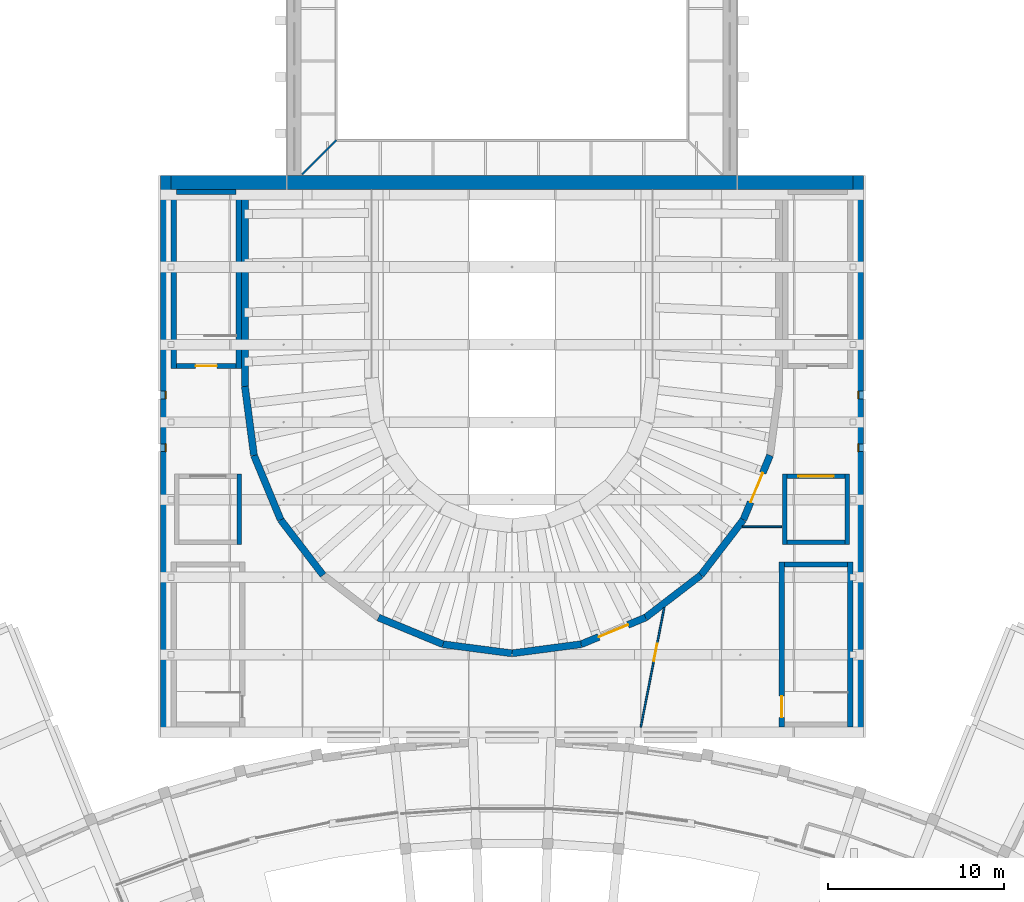
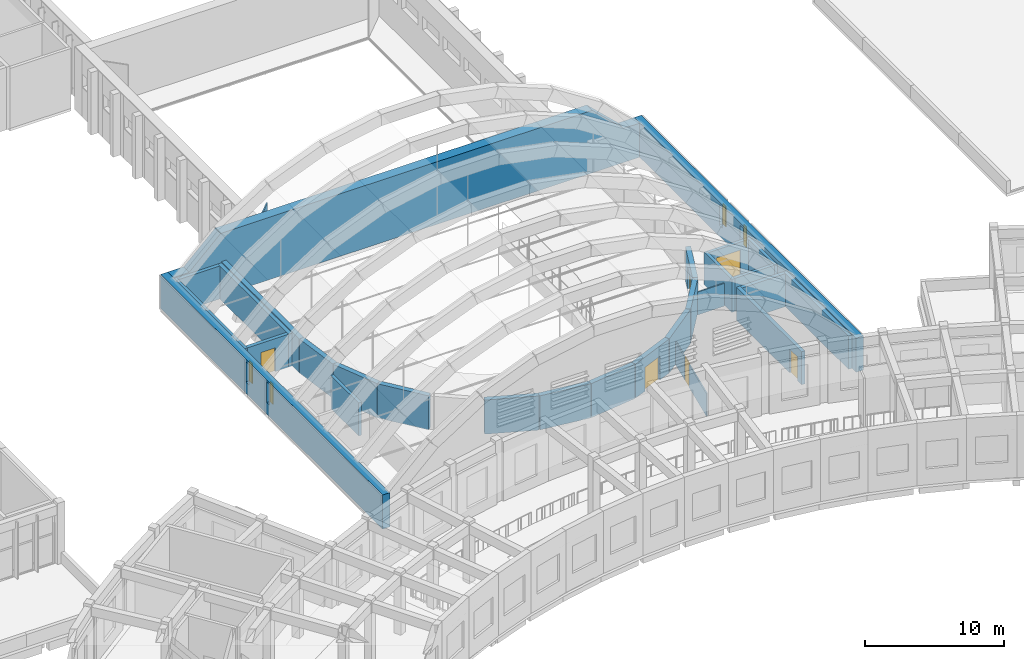
# One storey, part 64 of 94: 29 walls, 6 doors, 4 windows, 10 openings.
"""IFC4 building model written with IfcOpenShell, lengths in metres."""

from ifc_helpers import new_model, si_unit, direction, frame, frame_2d, origin, place, context, subcontext, project, spatial, polyline, rectangle, outline, extrude, material, layer, layer_set, type_object, element, fill, save


model = new_model("IFC4")

# Units and contexts
model_context = context("Model", 3, precision=1e-05, world=origin(), true_north=direction((0.0, 1.0)))
body_context = subcontext(model_context, "Body", "Model", "MODEL_VIEW")
ifc_project = project(units=[si_unit("LENGTHUNIT", "METRE"), si_unit("AREAUNIT", "SQUARE_METRE"), si_unit("VOLUMEUNIT", "CUBIC_METRE"), si_unit("PLANEANGLEUNIT", "RADIAN"), si_unit("MASSUNIT", "GRAM", prefix="KILO")], contexts=[model_context])

# Site, building, storey
site_placement = place(None, origin())
site = spatial("IfcSite", under=ifc_project, at=site_placement, CompositionType="ELEMENT")
building_placement = place(site_placement, origin())
building = spatial("IfcBuilding", under=site, at=building_placement, Name="Lunette Opera House", CompositionType="ELEMENT")
storey_placement = place(building_placement, frame((0.0, 0.0, 22.5)))
storey = spatial("IfcBuildingStorey", under=building, at=storey_placement, Name="L04", CompositionType="ELEMENT", Elevation=22.5)

# Walls
ifc_material_1 = material(Name="Concrete C40/50", Category="concrete")
ifc_layer_1 = layer(ifc_material_1, 0.800048828125)
ifc_layer_set_1 = layer_set([ifc_layer_1], Name="Concrete C40/50")
wall_type_1 = type_object("IfcWallType", Name="FIRE WALL 800", PredefinedType="SHEAR", material=ifc_layer_set_1)
wall_1_placement = place(storey_placement, frame((76.0, 95.60009765625, 0.0), z_axis=(0.0, 0.0, 1.0), x_axis=(1.0, 0.0, 0.0)))
element("IfcWall", 1, at=wall_1_placement, inside=storey, type_object=wall_type_1, Name="wall-ST-L04-WP-1", PredefinedType="SHEAR", context=body_context, shape_type="SweptSolid", body=[
    extrude(outline(polyline([(0.0, 0.0), (40.0, 0.0), (40.0, 3.0), (38.080078125, 3.0), (35.4599609375, 5.5), (35.419921875, 5.5), (32.800048828125, 5.5), (32.799072265625, 5.5), (29.0869140625, 5.5), (28.0, 5.5), (25.825927734375, 5.5), (22.006103515625, 5.5), (17.993896484375, 5.5), (14.174072265625, 5.5), (12.0, 5.5), (10.9130859375, 5.5), (7.200927734375, 5.5), (7.199951171875, 5.5), (4.580078125, 5.5), (4.5400390625, 5.5), (1.919921875, 3.0), (0.0, 3.0), (0.0, 0.0)])), frame((0.0, 0.39990234375, 0.0), z_axis=(0.0, -1.0, 0.0), x_axis=(1.0, 0.0, 0.0)), (0.0, 0.0, 1.0), 0.800048828125),
])
ifc_material_2 = material(Name="Concrete C35/45", Category="concrete")
ifc_layer_2 = layer(ifc_material_2, 0.25)
ifc_layer_set_2 = layer_set([ifc_layer_2], Name="Concrete C35/45")
wall_type_2 = type_object("IfcWallType", Name="RC LIFT SHAFT WALL 250", PredefinedType="SOLIDWALL", material=ifc_layer_set_2)
wall_2_placement = place(storey_placement, frame((115.074951171875, 75.0, 0.0), z_axis=(0.0, 0.0, 1.0), x_axis=(0.0, 1.0, 0.0)))
element("IfcWall", 2, at=wall_2_placement, inside=storey, type_object=wall_type_2, Name="LF3 shaft wall 1", PredefinedType="SOLIDWALL", context=body_context, shape_type="SweptSolid", body=[
    extrude(rectangle(XDim=4.0, YDim=0.25, at=frame_2d((2.0, 0.0))), origin(), (0.0, 0.0, 1.0), 2.89990234375),
])

# Wall, opening, door
wall_3_placement = place(storey_placement, frame((114.949951171875, 78.875, 0.0), z_axis=(0.0, 0.0, 1.0), x_axis=(-1.0, 0.0, 0.0)))
wall_3 = element("IfcWall", 3, at=wall_3_placement, inside=storey, type_object=wall_type_2, Name="LF3 shaft wall 2", PredefinedType="SOLIDWALL", context=body_context, shape_type="SweptSolid", body=[
    extrude(rectangle(XDim=3.300048828125, YDim=0.25, at=frame_2d((1.64990234375, 0.0))), origin(), (0.0, 0.0, 1.0), 2.89990234375),
])
opening_1_placement = place(wall_3_placement, frame((0.64990234375, 0.0, 0.0)))
opening_1 = element("IfcOpeningElement", 4, at=opening_1_placement, cuts=wall_3, Name="Opening AU-LD005", PredefinedType="OPENING", context=body_context, shape_type="SweptSolid", body=[
    extrude(rectangle(XDim=2.0, YDim=2.199951171875, at=frame_2d((1.0, 1.10009765625))), frame((0.0, 0.136962890625, 0.0), z_axis=(0.0, -1.0, 0.0), x_axis=(1.0, 0.0, 0.0)), (0.0, 0.0, 1.0), 0.27392578125),
])
ifc_material_3 = material(Name="Stainless steel", Category="steel")
door_type_1 = type_object("IfcDoorType", Name="LIFT LANDING DOOR 2000 X 2200", OperationType="DOUBLE_DOOR_SLIDING", PredefinedType="DOOR", material=ifc_material_3)
door_1_placement = place(opening_1_placement, origin())
door_1 = element("IfcDoor", 5, at=door_1_placement, inside=storey, type_object=door_type_1, Name="LF3 lift landing door", OperationType="DOUBLE_DOOR_SLIDING", OverallHeight=2.199951171875, OverallWidth=2.0, PredefinedType="DOOR", context=body_context, shape_type="SweptSolid", body=[
    extrude(rectangle(XDim=2.0, YDim=2.199951171875, at=frame_2d((1.0, 1.10009765625))), frame((0.0, 0.02490234375, 0.0), z_axis=(0.0, -1.0, 0.0), x_axis=(1.0, 0.0, 0.0)), (0.0, 0.0, 1.0), 0.050048828125),
])
fill(opening_1, door_1)

# Walls
wall_4_placement = place(storey_placement, frame((111.52490234375, 79.0, 0.0), z_axis=(0.0, 0.0, 1.0), x_axis=(0.0, -1.0, 0.0)))
element("IfcWall", 6, at=wall_4_placement, inside=storey, type_object=wall_type_2, Name="LF3 shaft wall 3", PredefinedType="SOLIDWALL", context=body_context, shape_type="SweptSolid", body=[
    extrude(rectangle(XDim=4.0, YDim=0.25, at=frame_2d((2.0, 0.0))), origin(), (0.0, 0.0, 1.0), 2.89990234375),
])
wall_5_placement = place(storey_placement, frame((111.64990234375, 75.125, 0.0), z_axis=(0.0, 0.0, 1.0), x_axis=(1.0, 0.0, 0.0)))
element("IfcWall", 7, at=wall_5_placement, inside=storey, type_object=wall_type_2, Name="LF3 shaft wall 4", PredefinedType="SOLIDWALL", context=body_context, shape_type="SweptSolid", body=[
    extrude(rectangle(XDim=3.300048828125, YDim=0.25, at=frame_2d((1.64990234375, 0.0))), origin(), (0.0, 0.0, 1.0), 2.89990234375),
])
wall_6_placement = place(storey_placement, frame((80.47509765625, 75.0, 0.0), z_axis=(0.0, 0.0, 1.0), x_axis=(0.0, 1.0, 0.0)))
element("IfcWall", 8, at=wall_6_placement, inside=storey, type_object=wall_type_2, Name="LF4 shaft wall 1", PredefinedType="SOLIDWALL", context=body_context, shape_type="SweptSolid", body=[
    extrude(rectangle(XDim=4.0, YDim=0.25, at=frame_2d((2.0, 0.0))), origin(), (0.0, 0.0, 1.0), 2.89990234375),
])
ifc_material_4 = material(Name="Concrete C35/45", Category="concrete")
ifc_layer_3 = layer(ifc_material_4, 0.300048828125)
ifc_layer_set_3 = layer_set([ifc_layer_3], Name="Concrete C35/45")
wall_type_3 = type_object("IfcWallType", Name="RC STAIR ENCLOSURE WALL 300", PredefinedType="SOLIDWALL", material=ifc_layer_set_3)
wall_7_placement = place(storey_placement, frame((80.449951171875, 85.0, 0.0), z_axis=(0.0, 0.0, 1.0), x_axis=(0.0, 1.0, 0.0)))
element("IfcWall", 9, at=wall_7_placement, inside=storey, type_object=wall_type_3, Name="ST10 enclosure wall 1", PredefinedType="SOLIDWALL", context=body_context, shape_type="SweptSolid", body=[
    extrude(rectangle(XDim=10.199951171875, YDim=0.300048828125, at=frame_2d((5.10009765625, 0.0))), origin(), (0.0, 0.0, 1.0), 2.89990234375),
])
wall_8_placement = place(storey_placement, frame((80.300048828125, 95.050048828125, 0.0), z_axis=(0.0, 0.0, 1.0), x_axis=(-1.0, 0.0, 0.0)))
element("IfcWall", 10, at=wall_8_placement, inside=storey, type_object=wall_type_3, Name="ST10 enclosure wall 2", PredefinedType="SOLIDWALL", context=body_context, shape_type="SweptSolid", body=[
    extrude(rectangle(XDim=3.400146484375, YDim=0.300048828125, at=frame_2d((1.7001953125, 0.0))), origin(), (0.0, 0.0, 1.0), 2.89990234375),
])
wall_9_placement = place(storey_placement, frame((76.75, 95.199951171875, 0.0), z_axis=(0.0, 0.0, 1.0), x_axis=(0.0, -1.0, 0.0)))
element("IfcWall", 11, at=wall_9_placement, inside=storey, type_object=wall_type_3, Name="ST10 enclosure wall 3", PredefinedType="SOLIDWALL", context=body_context, shape_type="SweptSolid", body=[
    extrude(rectangle(XDim=10.199951171875, YDim=0.300048828125, at=frame_2d((5.10009765625, 0.0))), origin(), (0.0, 0.0, 1.0), 2.89990234375),
])

# Wall, opening, door
wall_10_placement = place(storey_placement, frame((76.89990234375, 85.14990234375, 0.0), z_axis=(0.0, 0.0, 1.0), x_axis=(1.0, 0.0, 0.0)))
wall_10 = element("IfcWall", 12, at=wall_10_placement, inside=storey, type_object=wall_type_3, Name="ST10 enclosure wall 4", PredefinedType="SOLIDWALL", context=body_context, shape_type="SweptSolid", body=[
    extrude(rectangle(XDim=3.400146484375, YDim=0.300048828125, at=frame_2d((1.7001953125, 0.0))), origin(), (0.0, 0.0, 1.0), 2.89990234375),
])
opening_2_placement = place(wall_10_placement, frame((1.10009765625, 0.0, 0.0)))
opening_2 = element("IfcOpeningElement", 13, at=opening_2_placement, cuts=wall_10, Name="Opening AU-D7006", PredefinedType="OPENING", context=body_context, shape_type="SweptSolid", body=[
    extrude(rectangle(XDim=1.199951171875, YDim=2.10009765625, at=frame_2d((0.60009765625, 1.050048828125))), frame((0.0, 0.162109375, 0.0), z_axis=(0.0, -1.0, 0.0), x_axis=(1.0, 0.0, 0.0)), (0.0, 0.0, 1.0), 0.323974609375),
])
ifc_material_5 = material(Name="Steel", Category="steel")
door_type_2 = type_object("IfcDoorType", Name="FIRE DOOR 1200 X 2100", OperationType="SINGLE_SWING_LEFT", PredefinedType="DOOR", material=ifc_material_5)
door_2_placement = place(opening_2_placement, origin())
door_2 = element("IfcDoor", 14, at=door_2_placement, inside=storey, type_object=door_type_2, Name="ST10 stair door", OperationType="SINGLE_SWING_LEFT", OverallHeight=2.10009765625, OverallWidth=1.199951171875, PredefinedType="DOOR", context=body_context, shape_type="SweptSolid", body=[
    extrude(rectangle(XDim=1.199951171875, YDim=2.10009765625, at=frame_2d((0.60009765625, 1.050048828125))), frame((0.0, 0.02490234375, 0.0), z_axis=(0.0, -1.0, 0.0), x_axis=(1.0, 0.0, 0.0)), (0.0, 0.0, 1.0), 0.050048828125),
])
fill(opening_2, door_2)

# Walls
wall_11_placement = place(storey_placement, frame((115.25, 64.60009765625, 0.0), z_axis=(0.0, 0.0, 1.0), x_axis=(0.0, 1.0, 0.0)))
element("IfcWall", 15, at=wall_11_placement, inside=storey, type_object=wall_type_3, Name="ST8 enclosure wall 1", PredefinedType="SOLIDWALL", context=body_context, shape_type="SweptSolid", body=[
    extrude(rectangle(XDim=9.39990234375, YDim=0.300048828125, at=frame_2d((4.699951171875, 0.0))), origin(), (0.0, 0.0, 1.0), 2.89990234375),
])
wall_12_placement = place(storey_placement, frame((115.10009765625, 73.85009765625, 0.0), z_axis=(0.0, 0.0, 1.0), x_axis=(-1.0, 0.0, 0.0)))
element("IfcWall", 16, at=wall_12_placement, inside=storey, type_object=wall_type_3, Name="ST8 enclosure wall 2", PredefinedType="SOLIDWALL", context=body_context, shape_type="SweptSolid", body=[
    extrude(rectangle(XDim=3.60009765625, YDim=0.300048828125, at=frame_2d((1.800048828125, 0.0))), origin(), (0.0, 0.0, 1.0), 2.89990234375),
])

# Wall, opening, door
wall_13_placement = place(storey_placement, frame((111.35009765625, 74.0, 0.0), z_axis=(0.0, 0.0, 1.0), x_axis=(0.0, -1.0, 0.0)))
wall_13 = element("IfcWall", 17, at=wall_13_placement, inside=storey, type_object=wall_type_3, Name="ST8 enclosure wall 3", PredefinedType="SOLIDWALL", context=body_context, shape_type="SweptSolid", body=[
    extrude(rectangle(XDim=9.39990234375, YDim=0.300048828125, at=frame_2d((4.699951171875, 0.0))), origin(), (0.0, 0.0, 1.0), 2.89990234375),
])
opening_3_placement = place(wall_13_placement, frame((7.639892578125, 0.0, 0.0)))
opening_3 = element("IfcOpeningElement", 18, at=opening_3_placement, cuts=wall_13, Name="Opening AU-D7018", PredefinedType="OPENING", context=body_context, shape_type="SweptSolid", body=[
    extrude(rectangle(XDim=1.199951171875, YDim=2.10009765625, at=frame_2d((0.60009765625, 1.050048828125))), frame((0.0, 0.162109375, 0.0), z_axis=(0.0, -1.0, 0.0), x_axis=(1.0, 0.0, 0.0)), (0.0, 0.0, 1.0), 0.323974609375),
])
door_3_placement = place(opening_3_placement, origin())
door_3 = element("IfcDoor", 19, at=door_3_placement, inside=storey, type_object=door_type_2, Name="ST8 stair door", OperationType="SINGLE_SWING_LEFT", OverallHeight=2.10009765625, OverallWidth=1.199951171875, PredefinedType="DOOR", context=body_context, shape_type="SweptSolid", body=[
    extrude(rectangle(XDim=1.199951171875, YDim=2.10009765625, at=frame_2d((0.60009765625, 1.050048828125))), frame((0.0, 0.02490234375, 0.0), z_axis=(0.0, -1.0, 0.0), x_axis=(1.0, 0.0, 0.0)), (0.0, 0.0, 1.0), 0.050048828125),
])
fill(opening_3, door_3)

# Walls
ifc_material_6 = material(Name="Concrete C35/45", Category="concrete")
ifc_layer_4 = layer(ifc_material_6, 0.39990234375)
ifc_layer_set_4 = layer_set([ifc_layer_4], Name="Concrete C35/45")
wall_type_4 = type_object("IfcWallType", Name="RC WALL 400", PredefinedType="SHEAR", material=ifc_layer_set_4)
wall_14_placement = place(storey_placement, frame((80.800048828125, 95.199951171875, 0.0), z_axis=(0.0, 0.0, 1.0), x_axis=(0.0, -1.0, 0.0)))
element("IfcWall", 20, at=wall_14_placement, inside=storey, type_object=wall_type_4, Name="wall-AU-L04-HW01", PredefinedType="SHEAR", context=body_context, shape_type="SweptSolid", body=[
    extrude(rectangle(XDim=11.212890625, YDim=0.39990234375, at=frame_2d((5.6064453125, 0.0))), origin(), (0.0, 0.0, 1.0), 3.0),
])
wall_15_placement = place(storey_placement, frame((80.800048828125, 83.987060546875, 0.0), z_axis=(0.0, 0.0, 1.0), x_axis=(0.130436947249, -0.991456606611, 0.0)))
element("IfcWall", 21, at=wall_15_placement, inside=storey, type_object=wall_type_4, Name="wall-AU-L04-HW02", PredefinedType="SHEAR", context=body_context, shape_type="SweptSolid", body=[
    extrude(rectangle(XDim=3.954833984375, YDim=0.39990234375, at=frame_2d((1.9775390625, 0.0))), origin(), (0.0, 0.0, 1.0), 3.0),
])
wall_16_placement = place(storey_placement, frame((81.31591796875, 80.06591796875, 0.0), z_axis=(0.0, 0.0, 1.0), x_axis=(0.38271032831, -0.923868391388, 0.0)))
element("IfcWall", 22, at=wall_16_placement, inside=storey, type_object=wall_type_4, Name="wall-AU-L04-HW03", PredefinedType="SHEAR", context=body_context, shape_type="SweptSolid", body=[
    extrude(rectangle(XDim=3.96923828125, YDim=0.39990234375, at=frame_2d((1.984619140625, 0.0))), origin(), (0.0, 0.0, 1.0), 3.0),
])
wall_17_placement = place(storey_placement, frame((82.8349609375, 76.39892578125, 0.0), z_axis=(0.0, 0.0, 1.0), x_axis=(0.608568439888, -0.793501388766, 0.0)))
element("IfcWall", 23, at=wall_17_placement, inside=storey, type_object=wall_type_4, Name="wall-AU-L04-HW04", PredefinedType="SHEAR", context=body_context, shape_type="SweptSolid", body=[
    extrude(rectangle(XDim=3.968505859375, YDim=0.39990234375, at=frame_2d((1.984375, 0.0))), origin(), (0.0, 0.0, 1.0), 3.0),
])
wall_18_placement = place(storey_placement, frame((88.39892578125, 70.8349609375, 0.0), z_axis=(0.0, 0.0, 1.0), x_axis=(0.923868391388, -0.38271032831, 0.0)))
element("IfcWall", 24, at=wall_18_placement, inside=storey, type_object=wall_type_4, Name="wall-AU-L04-HW06", PredefinedType="SHEAR", context=body_context, shape_type="SweptSolid", body=[
    extrude(rectangle(XDim=3.96923828125, YDim=0.39990234375, at=frame_2d((1.984619140625, 0.0))), origin(), (0.0, 0.0, 1.0), 3.0),
])
for number, where, z_axis, x_axis, name in (
    (25, (92.06591796875, 69.31591796875, 0.0), (0.0, 0.0, 1.0), (0.991448430824, -0.13049907669, 0.0), "wall-AU-L04-HW07"),
    (26, (96.0, 68.798095703125, 0.0), (0.0, 0.0, 1.0), (0.991448430824, 0.13049907669, 0.0), "wall-AU-L04-HW08"),
):
    element("IfcWall", number, at=place(storey_placement, frame(where, z_axis=z_axis, x_axis=x_axis)), inside=storey, type_object=wall_type_4, Name=name, PredefinedType="SHEAR", context=body_context, shape_type="SweptSolid", body=[
        extrude(rectangle(XDim=3.968017578125, YDim=0.39990234375, at=frame_2d((1.98388671875, 0.0))), origin(), (0.0, 0.0, 1.0), 3.0),
    ])

# Wall, opening, door
wall_19_placement = place(storey_placement, frame((99.93408203125, 69.31591796875, 0.0), z_axis=(0.0, 0.0, 1.0), x_axis=(0.923868391388, 0.38271032831, 0.0)))
wall_19 = element("IfcWall", 27, at=wall_19_placement, inside=storey, type_object=wall_type_4, Name="wall-AU-L04-HW09", PredefinedType="SHEAR", context=body_context, shape_type="SweptSolid", body=[
    extrude(rectangle(XDim=3.96923828125, YDim=0.39990234375, at=frame_2d((1.984619140625, 0.0))), origin(), (0.0, 0.0, 1.0), 3.0),
])
opening_4_placement = place(wall_19_placement, frame((1.0849609375, 0.0, 0.0)))
opening_4 = element("IfcOpeningElement", 28, at=opening_4_placement, cuts=wall_19, Name="Opening AU-D3015", PredefinedType="OPENING", context=body_context, shape_type="SweptSolid", body=[
    extrude(rectangle(XDim=1.800048828125, YDim=2.10009765625, at=frame_2d((0.89990234375, 1.050048828125))), frame((0.0, 0.2119140625, 0.0), z_axis=(0.0, -1.0, 0.0), x_axis=(1.0, 0.0, 0.0)), (0.0, 0.0, 1.0), 0.423828125),
])
ifc_material_7 = material(Name="Timber", Category="wood")
door_type_3 = type_object("IfcDoorType", Name="SOUND LOCK DOOR 1800 X 2100", OperationType="DOUBLE_DOOR_SINGLE_SWING", PredefinedType="DOOR", material=ifc_material_7)
door_4_placement = place(opening_4_placement, origin())
door_4 = element("IfcDoor", 29, at=door_4_placement, inside=storey, type_object=door_type_3, Name="Auditorium Gallery door", OperationType="DOUBLE_DOOR_SINGLE_SWING", OverallHeight=2.10009765625, OverallWidth=1.800048828125, PredefinedType="DOOR", context=body_context, shape_type="SweptSolid", body=[
    extrude(rectangle(XDim=1.800048828125, YDim=2.10009765625, at=frame_2d((0.89990234375, 1.050048828125))), frame((0.0, 0.02490234375, 0.0), z_axis=(0.0, -1.0, 0.0), x_axis=(1.0, 0.0, 0.0)), (0.0, 0.0, 1.0), 0.050048828125),
])
fill(opening_4, door_4)

# Walls
for number, where, z_axis, x_axis, name in (
    (30, (103.60107421875, 70.8349609375, 0.0), (0.0, 0.0, 1.0), (0.793501388766, 0.608568439888, 0.0), "wall-AU-L04-HW10"),
    (31, (106.75, 73.25, 0.0), (0.0, 0.0, 1.0), (0.608568439888, 0.793501388766, 0.0), "wall-AU-L04-HW11"),
):
    element("IfcWall", number, at=place(storey_placement, frame(where, z_axis=z_axis, x_axis=x_axis)), inside=storey, type_object=wall_type_4, Name=name, PredefinedType="SHEAR", context=body_context, shape_type="SweptSolid", body=[
        extrude(rectangle(XDim=3.968505859375, YDim=0.39990234375, at=frame_2d((1.984375, 0.0))), origin(), (0.0, 0.0, 1.0), 3.0),
    ])

# Wall, opening, door
wall_20_placement = place(storey_placement, frame((109.1650390625, 76.39892578125, 0.0), z_axis=(0.0, 0.0, 1.0), x_axis=(0.38271032831, 0.923868391388, 0.0)))
wall_20 = element("IfcWall", 32, at=wall_20_placement, inside=storey, type_object=wall_type_4, Name="wall-AU-L04-HW12", PredefinedType="SHEAR", context=body_context, shape_type="SweptSolid", body=[
    extrude(rectangle(XDim=3.96923828125, YDim=0.39990234375, at=frame_2d((1.984619140625, 0.0))), origin(), (0.0, 0.0, 1.0), 3.0),
])
opening_5_placement = place(wall_20_placement, frame((1.083984375, 0.0, 0.0)))
opening_5 = element("IfcOpeningElement", 33, at=opening_5_placement, cuts=wall_20, Name="Opening AU-D3016", PredefinedType="OPENING", context=body_context, shape_type="SweptSolid", body=[
    extrude(rectangle(XDim=1.800048828125, YDim=2.10009765625, at=frame_2d((0.89990234375, 1.050048828125))), frame((0.0, 0.2119140625, 0.0), z_axis=(0.0, -1.0, 0.0), x_axis=(1.0, 0.0, 0.0)), (0.0, 0.0, 1.0), 0.423828125),
])
door_5_placement = place(opening_5_placement, origin())
door_5 = element("IfcDoor", 34, at=door_5_placement, inside=storey, type_object=door_type_3, Name="Auditorium Gallery door", OperationType="DOUBLE_DOOR_SINGLE_SWING", OverallHeight=2.10009765625, OverallWidth=1.800048828125, PredefinedType="DOOR", context=body_context, shape_type="SweptSolid", body=[
    extrude(rectangle(XDim=1.800048828125, YDim=2.10009765625, at=frame_2d((0.89990234375, 1.050048828125))), frame((0.0, 0.02490234375, 0.0), z_axis=(0.0, -1.0, 0.0), x_axis=(1.0, 0.0, 0.0)), (0.0, 0.0, 1.0), 0.050048828125),
])
fill(opening_5, door_5)

# Wall, openings, windows
ifc_material_8 = material(Name="Concrete C35/45", Category="concrete")
ifc_layer_5 = layer(ifc_material_8, 0.60009765625)
ifc_layer_set_5 = layer_set([ifc_layer_5], Name="Concrete C35/45")
wall_type_5 = type_object("IfcWallType", Name="RC WALL 600", PredefinedType="SHEAR", material=ifc_layer_set_5)
wall_21_placement = place(storey_placement, frame((76.300048828125, 64.0, 0.0), z_axis=(0.0, 0.0, 1.0), x_axis=(0.0, 1.0, 0.0)))
wall_21 = element("IfcWall", 35, at=wall_21_placement, inside=storey, type_object=wall_type_5, Name="wall-AU-L04-WL", PredefinedType="SHEAR", context=body_context, shape_type="SweptSolid", body=[
    extrude(rectangle(XDim=32.0, YDim=0.60009765625, at=frame_2d((16.0, 0.0))), origin(), (0.0, 0.0, 1.0), 3.0),
])
opening_6_placement = place(wall_21_placement, frame((16.27490234375, 0.0, 1.0)))
opening_6 = element("IfcOpeningElement", 36, at=opening_6_placement, cuts=wall_21, Name="Opening AU-N2005", PredefinedType="OPENING", context=body_context, shape_type="SweptSolid", body=[
    extrude(rectangle(XDim=0.449951171875, YDim=1.800048828125, at=frame_2d((0.22509765625, 0.89990234375))), frame((0.0, 0.31201171875, 0.0), z_axis=(0.0, -1.0, 0.0), x_axis=(1.0, 0.0, 0.0)), (0.0, 0.0, 1.0), 0.6240234375),
])
opening_7_placement = place(wall_21_placement, frame((19.27490234375, 0.0, 1.0)))
opening_7 = element("IfcOpeningElement", 37, at=opening_7_placement, cuts=wall_21, Name="Opening AU-N2006", PredefinedType="OPENING", context=body_context, shape_type="SweptSolid", body=[
    extrude(rectangle(XDim=0.449951171875, YDim=1.800048828125, at=frame_2d((0.22509765625, 0.89990234375))), frame((0.0, 0.31201171875, 0.0), z_axis=(0.0, -1.0, 0.0), x_axis=(1.0, 0.0, 0.0)), (0.0, 0.0, 1.0), 0.6240234375),
])
ifc_material_9 = material(Name="Aluminium", Category="aluminium")
window_type = type_object("IfcWindowType", Name="SLIT WINDOW 450 X 1800", PartitioningType="SINGLE_PANEL", PredefinedType="WINDOW", material=ifc_material_9)
window_1_placement = place(opening_6_placement, origin())
window_1 = element("IfcWindow", 38, at=window_1_placement, inside=storey, type_object=window_type, Name="Slit Window 450 X 1800 WL-SL805 L04", OverallHeight=1.800048828125, OverallWidth=0.449951171875, PartitioningType="SINGLE_PANEL", PredefinedType="WINDOW", context=body_context, shape_type="SweptSolid", body=[
    extrude(rectangle(XDim=0.449951171875, YDim=1.800048828125, at=frame_2d((0.22509765625, 0.89990234375))), frame((0.0, 0.030029296875, 0.0), z_axis=(0.0, -1.0, 0.0), x_axis=(1.0, 0.0, 0.0)), (0.0, 0.0, 1.0), 0.06005859375),
])
fill(opening_6, window_1)
window_2_placement = place(opening_7_placement, origin())
window_2 = element("IfcWindow", 39, at=window_2_placement, inside=storey, type_object=window_type, Name="Slit Window 450 X 1800 WL-SL835 L04", OverallHeight=1.800048828125, OverallWidth=0.449951171875, PartitioningType="SINGLE_PANEL", PredefinedType="WINDOW", context=body_context, shape_type="SweptSolid", body=[
    extrude(rectangle(XDim=0.449951171875, YDim=1.800048828125, at=frame_2d((0.22509765625, 0.89990234375))), frame((0.0, 0.030029296875, 0.0), z_axis=(0.0, -1.0, 0.0), x_axis=(1.0, 0.0, 0.0)), (0.0, 0.0, 1.0), 0.06005859375),
])
fill(opening_7, window_2)

wall_22_placement = place(storey_placement, frame((115.699951171875, 64.0, 0.0), z_axis=(0.0, 0.0, 1.0), x_axis=(0.0, 1.0, 0.0)))
wall_22 = element("IfcWall", 40, at=wall_22_placement, inside=storey, type_object=wall_type_5, Name="wall-AU-L04-WE", PredefinedType="SHEAR", context=body_context, shape_type="SweptSolid", body=[
    extrude(rectangle(XDim=32.0, YDim=0.60009765625, at=frame_2d((16.0, 0.0))), origin(), (0.0, 0.0, 1.0), 3.0),
])
opening_8_placement = place(wall_22_placement, frame((16.27490234375, 0.0, 1.0)))
opening_8 = element("IfcOpeningElement", 41, at=opening_8_placement, cuts=wall_22, Name="Opening AU-N2011", PredefinedType="OPENING", context=body_context, shape_type="SweptSolid", body=[
    extrude(rectangle(XDim=0.449951171875, YDim=1.800048828125, at=frame_2d((0.22509765625, 0.89990234375))), frame((0.0, 0.31201171875, 0.0), z_axis=(0.0, -1.0, 0.0), x_axis=(1.0, 0.0, 0.0)), (0.0, 0.0, 1.0), 0.6240234375),
])
opening_9_placement = place(wall_22_placement, frame((19.27490234375, 0.0, 1.0)))
opening_9 = element("IfcOpeningElement", 42, at=opening_9_placement, cuts=wall_22, Name="Opening AU-N2012", PredefinedType="OPENING", context=body_context, shape_type="SweptSolid", body=[
    extrude(rectangle(XDim=0.449951171875, YDim=1.800048828125, at=frame_2d((0.22509765625, 0.89990234375))), frame((0.0, 0.31201171875, 0.0), z_axis=(0.0, -1.0, 0.0), x_axis=(1.0, 0.0, 0.0)), (0.0, 0.0, 1.0), 0.6240234375),
])
window_3_placement = place(opening_8_placement, origin())
window_3 = element("IfcWindow", 43, at=window_3_placement, inside=storey, type_object=window_type, Name="Slit Window 450 X 1800 WE-SL805 L04", OverallHeight=1.800048828125, OverallWidth=0.449951171875, PartitioningType="SINGLE_PANEL", PredefinedType="WINDOW", context=body_context, shape_type="SweptSolid", body=[
    extrude(rectangle(XDim=0.449951171875, YDim=1.800048828125, at=frame_2d((0.22509765625, 0.89990234375))), frame((0.0, 0.030029296875, 0.0), z_axis=(0.0, -1.0, 0.0), x_axis=(1.0, 0.0, 0.0)), (0.0, 0.0, 1.0), 0.06005859375),
])
fill(opening_8, window_3)
window_4_placement = place(opening_9_placement, origin())
window_4 = element("IfcWindow", 44, at=window_4_placement, inside=storey, type_object=window_type, Name="Slit Window 450 X 1800 WE-SL835 L04", OverallHeight=1.800048828125, OverallWidth=0.449951171875, PartitioningType="SINGLE_PANEL", PredefinedType="WINDOW", context=body_context, shape_type="SweptSolid", body=[
    extrude(rectangle(XDim=0.449951171875, YDim=1.800048828125, at=frame_2d((0.22509765625, 0.89990234375))), frame((0.0, 0.030029296875, 0.0), z_axis=(0.0, -1.0, 0.0), x_axis=(1.0, 0.0, 0.0)), (0.0, 0.0, 1.0), 0.06005859375),
])
fill(opening_9, window_4)

# Wall, opening, door
ifc_material_10 = material(Name="Gypsum board on steel studs", Category="steel")
ifc_layer_6 = layer(ifc_material_10, 0.10009765625)
ifc_layer_set_6 = layer_set([ifc_layer_6], Name="Gypsum board on steel studs")
wall_type_6 = type_object("IfcWallType", Name="STUD PARTITION 100", PredefinedType="PARTITIONING", material=ifc_layer_set_6)
wall_23_placement = place(storey_placement, frame((104.662109375, 71.39599609375, 0.0), z_axis=(0.0, 0.0, 1.0), x_axis=(-0.192345231571, -0.981327321484, 0.0)))
wall_23 = element("IfcWall", 45, at=wall_23_placement, inside=storey, type_object=wall_type_6, Name="Partition Projection and Light Control", PredefinedType="PARTITIONING", context=body_context, shape_type="SweptSolid", body=[
    extrude(rectangle(XDim=6.92529296875, YDim=0.10009765625, at=frame_2d((3.462646484375, 0.0))), origin(), (0.0, 0.0, 1.0), 2.0),
])
opening_10_placement = place(wall_23_placement, frame((2.095947265625, 0.0, 0.0)))
opening_10 = element("IfcOpeningElement", 46, at=opening_10_placement, cuts=wall_23, Name="Opening AU-D3017", PredefinedType="OPENING", context=body_context, shape_type="SweptSolid", body=[
    extrude(rectangle(XDim=1.0, YDim=2.10009765625, at=frame_2d((0.5, 1.050048828125))), frame((0.0, 0.06201171875, 0.0), z_axis=(0.0, -1.0, 0.0), x_axis=(1.0, 0.0, 0.0)), (0.0, 0.0, 1.0), 0.1240234375),
])
ifc_material_11 = material(Name="Timber", Category="wood")
door_type_4 = type_object("IfcDoorType", Name="FLUSH DOOR 1000 X 2100", OperationType="SINGLE_SWING_LEFT", PredefinedType="DOOR", material=ifc_material_11)
door_6_placement = place(opening_10_placement, origin())
door_6 = element("IfcDoor", 47, at=door_6_placement, inside=storey, type_object=door_type_4, Name="Projection and Light Control door", OperationType="SINGLE_SWING_LEFT", OverallHeight=2.10009765625, OverallWidth=1.0, PredefinedType="DOOR", context=body_context, shape_type="SweptSolid", body=[
    extrude(rectangle(XDim=1.0, YDim=2.10009765625, at=frame_2d((0.5, 1.050048828125))), frame((0.0, 0.02490234375, 0.0), z_axis=(0.0, -1.0, 0.0), x_axis=(1.0, 0.0, 0.0)), (0.0, 0.0, 1.0), 0.050048828125),
])
fill(opening_10, door_6)

# Walls
wall_24_placement = place(storey_placement, frame((86.0, 98.0, 0.0), z_axis=(0.0, 0.0, 1.0), x_axis=(-0.707106781187, -0.707106781187, 0.0)))
element("IfcWall", 48, at=wall_24_placement, inside=storey, type_object=wall_type_6, Name="Partition Fly Gallery 22.5 South", PredefinedType="PARTITIONING", context=body_context, shape_type="SweptSolid", body=[
    extrude(rectangle(XDim=2.757568359375, YDim=0.10009765625, at=frame_2d((1.37890625, 0.0))), origin(), (0.0, 0.0, 1.0), 4.60009765625),
])
wall_25_placement = place(storey_placement, frame((111.35009765625, 76.0, 0.0), z_axis=(0.0, 0.0, 1.0), x_axis=(-1.0, 0.0, 0.0)))
element("IfcWall", 49, at=wall_25_placement, inside=storey, type_object=wall_type_6, Name="Partition Projection and Light Control", PredefinedType="PARTITIONING", context=body_context, shape_type="SweptSolid", body=[
    extrude(rectangle(XDim=2.238037109375, YDim=0.10009765625, at=frame_2d((1.119140625, 0.0))), origin(), (0.0, 0.0, 1.0), 2.0),
])

save(model, "model.ifc")
